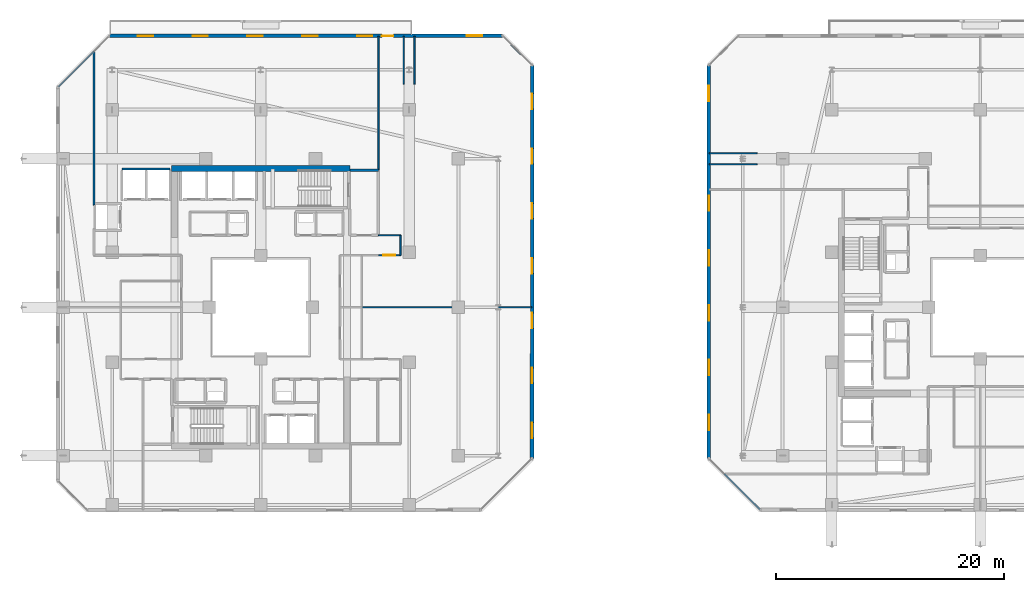
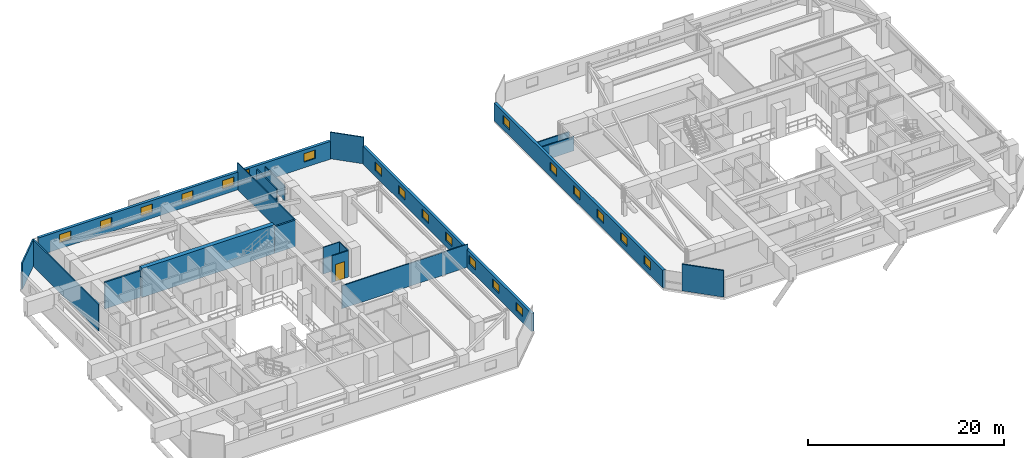
# One storey, part 25 of 36: 19 walls, 19 windows, 2 doors, 21 openings.
"""IFC4 building model written with IfcOpenShell, lengths in metres."""

from ifc_helpers import new_model, si_unit, direction, frame, frame_2d, origin, place, context, subcontext, project, spatial, rectangle, extrude, material, layer, layer_set, type_object, element, fill, save


model = new_model("IFC4")

# Units and contexts
model_context = context("Model", 3, precision=1e-05, world=origin(), true_north=direction((0.0, 1.0)))
body_context = subcontext(model_context, "Body", "Model", "MODEL_VIEW")
ifc_project = project(units=[si_unit("LENGTHUNIT", "METRE"), si_unit("AREAUNIT", "SQUARE_METRE"), si_unit("VOLUMEUNIT", "CUBIC_METRE"), si_unit("PLANEANGLEUNIT", "RADIAN"), si_unit("MASSUNIT", "GRAM", prefix="KILO")], contexts=[model_context])

# Site, building, storey
site_placement = place(None, origin())
site = spatial("IfcSite", under=ifc_project, at=site_placement, CompositionType="ELEMENT")
building_placement = place(site_placement, origin())
building = spatial("IfcBuilding", under=site, at=building_placement, Name="Thornwick Lancets Civic Towers", CompositionType="ELEMENT")
storey_placement = place(building_placement, frame((0.0, 0.0, 196.5)))
storey = spatial("IfcBuildingStorey", under=building, at=storey_placement, Name="L52", CompositionType="ELEMENT", Elevation=196.5)

# Walls
ifc_material_1 = material(Name="Concrete blockwork C40/50", Category="masonry")
ifc_layer_1 = layer(ifc_material_1, 0.199951171875, Name="Concrete blockwork C40/50")
ifc_layer_set_1 = layer_set([ifc_layer_1], Name="Concrete blockwork C40/50")
wall_type_1 = type_object("IfcWallType", Name="WALL_COMP_200", PredefinedType="STANDARD", material=ifc_layer_set_1)
wall_1_placement = place(storey_placement, frame((13.35205078125, 39.10009765625, 0.0), z_axis=(0.0, 0.0, 1.0), x_axis=(1.0, 0.0, 0.0)))
element("IfcWall", 1, at=wall_1_placement, inside=storey, type_object=wall_type_1, Name="L52 Hoistway Shaft Wall PL-AM1 N", PredefinedType="STANDARD", context=body_context, shape_type="SweptSolid", body=[
    extrude(rectangle(XDim=4.196044921875, YDim=0.199951171875, at=frame_2d((2.09814453125, 0.0))), origin(), (0.0, 0.0, 1.0), 3.320068359375),
])
wall_2_placement = place(storey_placement, frame((35.800048828125, 39.0, 0.0), z_axis=(0.0, 0.0, 1.0), x_axis=(-1.0, 0.0, 0.0)))
element("IfcWall", 2, at=wall_2_placement, inside=storey, type_object=wall_type_1, Name="L52 Partition L52-A-FFLOB2 E3", PredefinedType="STANDARD", context=body_context, shape_type="SweptSolid", body=[
    extrude(rectangle(XDim=2.5, YDim=0.199951171875, at=frame_2d((1.25, 0.0))), origin(), (0.0, 0.0, 1.0), 3.320068359375),
])
ifc_material_2 = material(Name="Concrete C50/60", Category="concrete")
ifc_layer_2 = layer(ifc_material_2, 0.5, Name="Concrete C50/60")
ifc_layer_set_2 = layer_set([ifc_layer_2], Name="Concrete C50/60")
wall_type_2 = type_object("IfcWallType", Name="WALL_CORE_500", PredefinedType="SHEAR", material=ifc_layer_set_2)
wall_3_placement = place(storey_placement, frame((17.699951171875, 39.14990234375, 0.0), z_axis=(0.0, 0.0, 1.0), x_axis=(1.0, 0.0, 0.0)))
element("IfcWall", 3, at=wall_3_placement, inside=storey, type_object=wall_type_2, Name="L52 Split Core A2 Shear Wall N", PredefinedType="SHEAR", context=body_context, shape_type="SweptSolid", body=[
    extrude(rectangle(XDim=15.60009765625, YDim=0.5, at=frame_2d((7.800048828125, 0.0))), origin(), (0.0, 0.0, 1.0), 3.60009765625),
])

# Wall, openings, windows
ifc_material_3 = material(Name="Insulated buff terracotta rainscreen on concrete C40/50", Category="masonry")
ifc_layer_3 = layer(ifc_material_3, 0.320068359375, Name="Insulated buff terracotta rainscreen on concrete C40/50")
ifc_layer_set_3 = layer_set([ifc_layer_3], Name="Insulated buff terracotta rainscreen on concrete C40/50")
wall_type_3 = type_object("IfcWallType", Name="WALL_EXT_TERRA_320", PredefinedType="STANDARD", material=ifc_layer_set_3)
wall_4_placement = place(storey_placement, frame((49.25830078125, 13.7490234375, 0.0), z_axis=(0.0, 0.0, 1.0), x_axis=(0.000184351399, 0.999999983007, 0.0)))
wall_4 = element("IfcWall", 4, at=wall_4_placement, inside=storey, type_object=wall_type_3, Name="L52 Tower A Terracotta Facade Wall E2", PredefinedType="STANDARD", context=body_context, shape_type="SweptSolid", body=[
    extrude(rectangle(XDim=34.432373046875, YDim=0.320068359375, at=frame_2d((17.21630859375, 0.0))), origin(), (0.0, 0.0, 1.0), 2.219970703125),
])
opening_1_placement = place(wall_4_placement, frame((1.800048828125, 0.0, 0.719970703125)))
opening_1 = element("IfcOpeningElement", 5, at=opening_1_placement, cuts=wall_4, Name="Opening WL-03", PredefinedType="OPENING", context=body_context, shape_type="SweptSolid", body=[
    extrude(rectangle(XDim=1.35009765625, YDim=1.050048828125, at=frame_2d((0.675048828125, 0.52490234375))), frame((0.0, 0.169921875, 0.0), z_axis=(0.0, -1.0, 0.0), x_axis=(1.0, 0.0, 0.0)), (0.0, 0.0, 1.0), 0.340087890625),
])
opening_2_placement = place(wall_4_placement, frame((6.60009765625, 0.0, 0.719970703125)))
opening_2 = element("IfcOpeningElement", 6, at=opening_2_placement, cuts=wall_4, Name="Opening WL-03", PredefinedType="OPENING", context=body_context, shape_type="SweptSolid", body=[
    extrude(rectangle(XDim=1.35009765625, YDim=1.050048828125, at=frame_2d((0.675048828125, 0.52490234375))), frame((0.0, 0.169921875, 0.0), z_axis=(0.0, -1.0, 0.0), x_axis=(1.0, 0.0, 0.0)), (0.0, 0.0, 1.0), 0.340087890625),
])
opening_3_placement = place(wall_4_placement, frame((11.39990234375, 0.0, 0.719970703125)))
opening_3 = element("IfcOpeningElement", 7, at=opening_3_placement, cuts=wall_4, Name="Opening WL-03", PredefinedType="OPENING", context=body_context, shape_type="SweptSolid", body=[
    extrude(rectangle(XDim=1.35009765625, YDim=1.050048828125, at=frame_2d((0.675048828125, 0.52490234375))), frame((0.0, 0.169921875, 0.0), z_axis=(0.0, -1.0, 0.0), x_axis=(1.0, 0.0, 0.0)), (0.0, 0.0, 1.0), 0.340087890625),
])
opening_4_placement = place(wall_4_placement, frame((16.199951171875, 0.0, 0.719970703125)))
opening_4 = element("IfcOpeningElement", 8, at=opening_4_placement, cuts=wall_4, Name="Opening WL-03", PredefinedType="OPENING", context=body_context, shape_type="SweptSolid", body=[
    extrude(rectangle(XDim=1.35009765625, YDim=1.050048828125, at=frame_2d((0.675048828125, 0.52490234375))), frame((0.0, 0.169921875, 0.0), z_axis=(0.0, -1.0, 0.0), x_axis=(1.0, 0.0, 0.0)), (0.0, 0.0, 1.0), 0.340087890625),
])
opening_5_placement = place(wall_4_placement, frame((21.0, 0.0, 0.719970703125)))
opening_5 = element("IfcOpeningElement", 9, at=opening_5_placement, cuts=wall_4, Name="Opening WL-03", PredefinedType="OPENING", context=body_context, shape_type="SweptSolid", body=[
    extrude(rectangle(XDim=1.35009765625, YDim=1.050048828125, at=frame_2d((0.675048828125, 0.52490234375))), frame((0.0, 0.169921875, 0.0), z_axis=(0.0, -1.0, 0.0), x_axis=(1.0, 0.0, 0.0)), (0.0, 0.0, 1.0), 0.340087890625),
])
opening_6_placement = place(wall_4_placement, frame((25.800048828125, 0.0, 0.719970703125)))
opening_6 = element("IfcOpeningElement", 10, at=opening_6_placement, cuts=wall_4, Name="Opening WL-03", PredefinedType="OPENING", context=body_context, shape_type="SweptSolid", body=[
    extrude(rectangle(XDim=1.35009765625, YDim=1.050048828125, at=frame_2d((0.675048828125, 0.52490234375))), frame((0.0, 0.169921875, 0.0), z_axis=(0.0, -1.0, 0.0), x_axis=(1.0, 0.0, 0.0)), (0.0, 0.0, 1.0), 0.340087890625),
])
opening_7_placement = place(wall_4_placement, frame((30.60009765625, 0.0, 0.719970703125)))
opening_7 = element("IfcOpeningElement", 11, at=opening_7_placement, cuts=wall_4, Name="Opening WL-03", PredefinedType="OPENING", context=body_context, shape_type="SweptSolid", body=[
    extrude(rectangle(XDim=1.35009765625, YDim=1.050048828125, at=frame_2d((0.675048828125, 0.52490234375))), frame((0.0, 0.169921875, 0.0), z_axis=(0.0, -1.0, 0.0), x_axis=(1.0, 0.0, 0.0)), (0.0, 0.0, 1.0), 0.340087890625),
])
ifc_material_4 = material(Name="Clear low-e double glazing clerestory lancet", Category="glass")
window_type = type_object("IfcWindowType", Name="WIN_LANCET_1350", PartitioningType="SINGLE_PANEL", PredefinedType="WINDOW", material=ifc_material_4)
window_1_placement = place(opening_1_placement, origin())
window_1 = element("IfcWindow", 12, at=window_1_placement, inside=storey, type_object=window_type, Name="L52 Tower A Staggered Lancet Window E2-1", OverallHeight=1.050048828125, OverallWidth=1.35009765625, PartitioningType="SINGLE_PANEL", PredefinedType="WINDOW", context=body_context, shape_type="SweptSolid", body=[
    extrude(rectangle(XDim=1.35009765625, YDim=1.050048828125, at=frame_2d((0.675048828125, 0.52490234375))), frame((0.0, 0.030029296875, 0.0), z_axis=(0.0, -1.0, 0.0), x_axis=(1.0, 0.0, 0.0)), (0.0, 0.0, 1.0), 0.06005859375),
])
fill(opening_1, window_1)
window_2_placement = place(opening_2_placement, origin())
window_2 = element("IfcWindow", 13, at=window_2_placement, inside=storey, type_object=window_type, Name="L52 Tower A Staggered Lancet Window E2-2", OverallHeight=1.050048828125, OverallWidth=1.35009765625, PartitioningType="SINGLE_PANEL", PredefinedType="WINDOW", context=body_context, shape_type="SweptSolid", body=[
    extrude(rectangle(XDim=1.35009765625, YDim=1.050048828125, at=frame_2d((0.675048828125, 0.52490234375))), frame((0.0, 0.030029296875, 0.0), z_axis=(0.0, -1.0, 0.0), x_axis=(1.0, 0.0, 0.0)), (0.0, 0.0, 1.0), 0.06005859375),
])
fill(opening_2, window_2)
window_3_placement = place(opening_3_placement, origin())
window_3 = element("IfcWindow", 14, at=window_3_placement, inside=storey, type_object=window_type, Name="L52 Tower A Staggered Lancet Window E2-3", OverallHeight=1.050048828125, OverallWidth=1.35009765625, PartitioningType="SINGLE_PANEL", PredefinedType="WINDOW", context=body_context, shape_type="SweptSolid", body=[
    extrude(rectangle(XDim=1.35009765625, YDim=1.050048828125, at=frame_2d((0.675048828125, 0.52490234375))), frame((0.0, 0.030029296875, 0.0), z_axis=(0.0, -1.0, 0.0), x_axis=(1.0, 0.0, 0.0)), (0.0, 0.0, 1.0), 0.06005859375),
])
fill(opening_3, window_3)
window_4_placement = place(opening_4_placement, origin())
window_4 = element("IfcWindow", 15, at=window_4_placement, inside=storey, type_object=window_type, Name="L52 Tower A Staggered Lancet Window E2-4", OverallHeight=1.050048828125, OverallWidth=1.35009765625, PartitioningType="SINGLE_PANEL", PredefinedType="WINDOW", context=body_context, shape_type="SweptSolid", body=[
    extrude(rectangle(XDim=1.35009765625, YDim=1.050048828125, at=frame_2d((0.675048828125, 0.52490234375))), frame((0.0, 0.030029296875, 0.0), z_axis=(0.0, -1.0, 0.0), x_axis=(1.0, 0.0, 0.0)), (0.0, 0.0, 1.0), 0.06005859375),
])
fill(opening_4, window_4)
window_5_placement = place(opening_5_placement, origin())
window_5 = element("IfcWindow", 16, at=window_5_placement, inside=storey, type_object=window_type, Name="L52 Tower A Staggered Lancet Window E2-5", OverallHeight=1.050048828125, OverallWidth=1.35009765625, PartitioningType="SINGLE_PANEL", PredefinedType="WINDOW", context=body_context, shape_type="SweptSolid", body=[
    extrude(rectangle(XDim=1.35009765625, YDim=1.050048828125, at=frame_2d((0.675048828125, 0.52490234375))), frame((0.0, 0.030029296875, 0.0), z_axis=(0.0, -1.0, 0.0), x_axis=(1.0, 0.0, 0.0)), (0.0, 0.0, 1.0), 0.06005859375),
])
fill(opening_5, window_5)
window_6_placement = place(opening_6_placement, origin())
window_6 = element("IfcWindow", 17, at=window_6_placement, inside=storey, type_object=window_type, Name="L52 Tower A Staggered Lancet Window E2-6", OverallHeight=1.050048828125, OverallWidth=1.35009765625, PartitioningType="SINGLE_PANEL", PredefinedType="WINDOW", context=body_context, shape_type="SweptSolid", body=[
    extrude(rectangle(XDim=1.35009765625, YDim=1.050048828125, at=frame_2d((0.675048828125, 0.52490234375))), frame((0.0, 0.030029296875, 0.0), z_axis=(0.0, -1.0, 0.0), x_axis=(1.0, 0.0, 0.0)), (0.0, 0.0, 1.0), 0.06005859375),
])
fill(opening_6, window_6)
window_7_placement = place(opening_7_placement, origin())
window_7 = element("IfcWindow", 18, at=window_7_placement, inside=storey, type_object=window_type, Name="L52 Tower A Staggered Lancet Window E2-7", OverallHeight=1.050048828125, OverallWidth=1.35009765625, PartitioningType="SINGLE_PANEL", PredefinedType="WINDOW", context=body_context, shape_type="SweptSolid", body=[
    extrude(rectangle(XDim=1.35009765625, YDim=1.050048828125, at=frame_2d((0.675048828125, 0.52490234375))), frame((0.0, 0.030029296875, 0.0), z_axis=(0.0, -1.0, 0.0), x_axis=(1.0, 0.0, 0.0)), (0.0, 0.0, 1.0), 0.06005859375),
])
fill(opening_7, window_7)

# Wall, openings, door, windows
wall_5_placement = place(storey_placement, frame((46.681396484375, 50.7646484375, 0.0), z_axis=(0.0, 0.0, 1.0), x_axis=(-0.999999983007, -0.000184351399, 0.0)))
wall_5 = element("IfcWall", 19, at=wall_5_placement, inside=storey, type_object=wall_type_3, Name="L52 Tower A Terracotta Facade Wall E4", PredefinedType="STANDARD", context=body_context, shape_type="SweptSolid", body=[
    extrude(rectangle(XDim=34.432373046875, YDim=0.320068359375, at=frame_2d((17.21630859375, 0.0))), origin(), (0.0, 0.0, 1.0), 2.219970703125),
])
opening_8_placement = place(wall_5_placement, frame((9.566162109375, 0.0, 0.0)))
opening_8 = element("IfcOpeningElement", 20, at=opening_8_placement, cuts=wall_5, Name="Opening D-BL-L52-AN", PredefinedType="OPENING", context=body_context, shape_type="SweptSolid", body=[
    extrude(rectangle(XDim=1.0, YDim=2.080078125, at=frame_2d((0.5, 1.0400390625))), frame((0.0, 0.169921875, 0.0), z_axis=(0.0, -1.0, 0.0), x_axis=(1.0, 0.0, 0.0)), (0.0, 0.0, 1.0), 0.340087890625),
])
opening_9_placement = place(wall_5_placement, frame((1.800048828125, 0.0, 0.719970703125)))
opening_9 = element("IfcOpeningElement", 21, at=opening_9_placement, cuts=wall_5, Name="Opening WL-03", PredefinedType="OPENING", context=body_context, shape_type="SweptSolid", body=[
    extrude(rectangle(XDim=1.35009765625, YDim=1.050048828125, at=frame_2d((0.675048828125, 0.52490234375))), frame((0.0, 0.169921875, 0.0), z_axis=(0.0, -1.0, 0.0), x_axis=(1.0, 0.0, 0.0)), (0.0, 0.0, 1.0), 0.340087890625),
])
opening_10_placement = place(wall_5_placement, frame((11.39990234375, 0.0, 0.719970703125)))
opening_10 = element("IfcOpeningElement", 22, at=opening_10_placement, cuts=wall_5, Name="Opening WL-03", PredefinedType="OPENING", context=body_context, shape_type="SweptSolid", body=[
    extrude(rectangle(XDim=1.35009765625, YDim=1.050048828125, at=frame_2d((0.675048828125, 0.52490234375))), frame((0.0, 0.169921875, 0.0), z_axis=(0.0, -1.0, 0.0), x_axis=(1.0, 0.0, 0.0)), (0.0, 0.0, 1.0), 0.340087890625),
])
opening_11_placement = place(wall_5_placement, frame((16.199951171875, 0.0, 0.719970703125)))
opening_11 = element("IfcOpeningElement", 23, at=opening_11_placement, cuts=wall_5, Name="Opening WL-03", PredefinedType="OPENING", context=body_context, shape_type="SweptSolid", body=[
    extrude(rectangle(XDim=1.35009765625, YDim=1.050048828125, at=frame_2d((0.675048828125, 0.52490234375))), frame((0.0, 0.169921875, 0.0), z_axis=(0.0, -1.0, 0.0), x_axis=(1.0, 0.0, 0.0)), (0.0, 0.0, 1.0), 0.340087890625),
])
opening_12_placement = place(wall_5_placement, frame((21.0, 0.0, 0.719970703125)))
opening_12 = element("IfcOpeningElement", 24, at=opening_12_placement, cuts=wall_5, Name="Opening WL-03", PredefinedType="OPENING", context=body_context, shape_type="SweptSolid", body=[
    extrude(rectangle(XDim=1.35009765625, YDim=1.050048828125, at=frame_2d((0.675048828125, 0.52490234375))), frame((0.0, 0.169921875, 0.0), z_axis=(0.0, -1.0, 0.0), x_axis=(1.0, 0.0, 0.0)), (0.0, 0.0, 1.0), 0.340087890625),
])
opening_13_placement = place(wall_5_placement, frame((25.800048828125, 0.0, 0.719970703125)))
opening_13 = element("IfcOpeningElement", 25, at=opening_13_placement, cuts=wall_5, Name="Opening WL-03", PredefinedType="OPENING", context=body_context, shape_type="SweptSolid", body=[
    extrude(rectangle(XDim=1.35009765625, YDim=1.050048828125, at=frame_2d((0.675048828125, 0.52490234375))), frame((0.0, 0.169921875, 0.0), z_axis=(0.0, -1.0, 0.0), x_axis=(1.0, 0.0, 0.0)), (0.0, 0.0, 1.0), 0.340087890625),
])
opening_14_placement = place(wall_5_placement, frame((30.60009765625, 0.0, 0.719970703125)))
opening_14 = element("IfcOpeningElement", 26, at=opening_14_placement, cuts=wall_5, Name="Opening WL-03", PredefinedType="OPENING", context=body_context, shape_type="SweptSolid", body=[
    extrude(rectangle(XDim=1.35009765625, YDim=1.050048828125, at=frame_2d((0.675048828125, 0.52490234375))), frame((0.0, 0.169921875, 0.0), z_axis=(0.0, -1.0, 0.0), x_axis=(1.0, 0.0, 0.0)), (0.0, 0.0, 1.0), 0.340087890625),
])
ifc_material_5 = material(Name="Thermally broken glazed loggia doorset")
door_type_1 = type_object("IfcDoorType", Name="DOOR_BALC_1000", OperationType="NOTDEFINED", PredefinedType="DOOR", material=ifc_material_5)
door_1_placement = place(opening_8_placement, origin())
door_1 = element("IfcDoor", 27, at=door_1_placement, inside=storey, type_object=door_type_1, Name="L52 Tower A Loggia Balcony Door N", OperationType="SINGLE_SWING_LEFT", OverallHeight=2.080078125, OverallWidth=1.0, PredefinedType="DOOR", context=body_context, shape_type="SweptSolid", body=[
    extrude(rectangle(XDim=1.0, YDim=2.080078125, at=frame_2d((0.5, 1.0400390625))), frame((0.0, 0.02490234375, 0.0), z_axis=(0.0, -1.0, 0.0), x_axis=(1.0, 0.0, 0.0)), (0.0, 0.0, 1.0), 0.050048828125),
])
fill(opening_8, door_1)
window_8_placement = place(opening_9_placement, origin())
window_8 = element("IfcWindow", 28, at=window_8_placement, inside=storey, type_object=window_type, Name="L52 Tower A Staggered Lancet Window E4-1", OverallHeight=1.050048828125, OverallWidth=1.35009765625, PartitioningType="SINGLE_PANEL", PredefinedType="WINDOW", context=body_context, shape_type="SweptSolid", body=[
    extrude(rectangle(XDim=1.35009765625, YDim=1.050048828125, at=frame_2d((0.675048828125, 0.52490234375))), frame((0.0, 0.030029296875, 0.0), z_axis=(0.0, -1.0, 0.0), x_axis=(1.0, 0.0, 0.0)), (0.0, 0.0, 1.0), 0.06005859375),
])
fill(opening_9, window_8)
window_9_placement = place(opening_10_placement, origin())
window_9 = element("IfcWindow", 29, at=window_9_placement, inside=storey, type_object=window_type, Name="L52 Tower A Staggered Lancet Window E4-2", OverallHeight=1.050048828125, OverallWidth=1.35009765625, PartitioningType="SINGLE_PANEL", PredefinedType="WINDOW", context=body_context, shape_type="SweptSolid", body=[
    extrude(rectangle(XDim=1.35009765625, YDim=1.050048828125, at=frame_2d((0.675048828125, 0.52490234375))), frame((0.0, 0.030029296875, 0.0), z_axis=(0.0, -1.0, 0.0), x_axis=(1.0, 0.0, 0.0)), (0.0, 0.0, 1.0), 0.06005859375),
])
fill(opening_10, window_9)
window_10_placement = place(opening_11_placement, origin())
window_10 = element("IfcWindow", 30, at=window_10_placement, inside=storey, type_object=window_type, Name="L52 Tower A Staggered Lancet Window E4-3", OverallHeight=1.050048828125, OverallWidth=1.35009765625, PartitioningType="SINGLE_PANEL", PredefinedType="WINDOW", context=body_context, shape_type="SweptSolid", body=[
    extrude(rectangle(XDim=1.35009765625, YDim=1.050048828125, at=frame_2d((0.675048828125, 0.52490234375))), frame((0.0, 0.030029296875, 0.0), z_axis=(0.0, -1.0, 0.0), x_axis=(1.0, 0.0, 0.0)), (0.0, 0.0, 1.0), 0.06005859375),
])
fill(opening_11, window_10)
window_11_placement = place(opening_12_placement, origin())
window_11 = element("IfcWindow", 31, at=window_11_placement, inside=storey, type_object=window_type, Name="L52 Tower A Staggered Lancet Window E4-4", OverallHeight=1.050048828125, OverallWidth=1.35009765625, PartitioningType="SINGLE_PANEL", PredefinedType="WINDOW", context=body_context, shape_type="SweptSolid", body=[
    extrude(rectangle(XDim=1.35009765625, YDim=1.050048828125, at=frame_2d((0.675048828125, 0.52490234375))), frame((0.0, 0.030029296875, 0.0), z_axis=(0.0, -1.0, 0.0), x_axis=(1.0, 0.0, 0.0)), (0.0, 0.0, 1.0), 0.06005859375),
])
fill(opening_12, window_11)
window_12_placement = place(opening_13_placement, origin())
window_12 = element("IfcWindow", 32, at=window_12_placement, inside=storey, type_object=window_type, Name="L52 Tower A Staggered Lancet Window E4-5", OverallHeight=1.050048828125, OverallWidth=1.35009765625, PartitioningType="SINGLE_PANEL", PredefinedType="WINDOW", context=body_context, shape_type="SweptSolid", body=[
    extrude(rectangle(XDim=1.35009765625, YDim=1.050048828125, at=frame_2d((0.675048828125, 0.52490234375))), frame((0.0, 0.030029296875, 0.0), z_axis=(0.0, -1.0, 0.0), x_axis=(1.0, 0.0, 0.0)), (0.0, 0.0, 1.0), 0.06005859375),
])
fill(opening_13, window_12)
window_13_placement = place(opening_14_placement, origin())
window_13 = element("IfcWindow", 33, at=window_13_placement, inside=storey, type_object=window_type, Name="L52 Tower A Staggered Lancet Window E4-6", OverallHeight=1.050048828125, OverallWidth=1.35009765625, PartitioningType="SINGLE_PANEL", PredefinedType="WINDOW", context=body_context, shape_type="SweptSolid", body=[
    extrude(rectangle(XDim=1.35009765625, YDim=1.050048828125, at=frame_2d((0.675048828125, 0.52490234375))), frame((0.0, 0.030029296875, 0.0), z_axis=(0.0, -1.0, 0.0), x_axis=(1.0, 0.0, 0.0)), (0.0, 0.0, 1.0), 0.06005859375),
])
fill(opening_14, window_13)

# Wall, openings, windows
wall_6_placement = place(storey_placement, frame((64.7353515625, 48.181396484375, 0.0), z_axis=(0.0, 0.0, 1.0), x_axis=(0.000184351399, -0.999999983007, 0.0)))
wall_6 = element("IfcWall", 34, at=wall_6_placement, inside=storey, type_object=wall_type_3, Name="L52 Tower B Terracotta Facade Wall E6", PredefinedType="STANDARD", context=body_context, shape_type="SweptSolid", body=[
    extrude(rectangle(XDim=34.432373046875, YDim=0.320068359375, at=frame_2d((17.21630859375, 0.0))), origin(), (0.0, 0.0, 1.0), 2.219970703125),
])
opening_15_placement = place(wall_6_placement, frame((1.800048828125, 0.0, 0.719970703125)))
opening_15 = element("IfcOpeningElement", 35, at=opening_15_placement, cuts=wall_6, Name="Opening WL-03", PredefinedType="OPENING", context=body_context, shape_type="SweptSolid", body=[
    extrude(rectangle(XDim=1.35009765625, YDim=1.050048828125, at=frame_2d((0.675048828125, 0.52490234375))), frame((0.0, 0.169921875, 0.0), z_axis=(0.0, -1.0, 0.0), x_axis=(1.0, 0.0, 0.0)), (0.0, 0.0, 1.0), 0.340087890625),
])
opening_16_placement = place(wall_6_placement, frame((11.39990234375, 0.0, 0.719970703125)))
opening_16 = element("IfcOpeningElement", 36, at=opening_16_placement, cuts=wall_6, Name="Opening WL-03", PredefinedType="OPENING", context=body_context, shape_type="SweptSolid", body=[
    extrude(rectangle(XDim=1.35009765625, YDim=1.050048828125, at=frame_2d((0.675048828125, 0.52490234375))), frame((0.0, 0.169921875, 0.0), z_axis=(0.0, -1.0, 0.0), x_axis=(1.0, 0.0, 0.0)), (0.0, 0.0, 1.0), 0.340087890625),
])
opening_17_placement = place(wall_6_placement, frame((16.199951171875, 0.0, 0.719970703125)))
opening_17 = element("IfcOpeningElement", 37, at=opening_17_placement, cuts=wall_6, Name="Opening WL-03", PredefinedType="OPENING", context=body_context, shape_type="SweptSolid", body=[
    extrude(rectangle(XDim=1.35009765625, YDim=1.050048828125, at=frame_2d((0.675048828125, 0.52490234375))), frame((0.0, 0.169921875, 0.0), z_axis=(0.0, -1.0, 0.0), x_axis=(1.0, 0.0, 0.0)), (0.0, 0.0, 1.0), 0.340087890625),
])
opening_18_placement = place(wall_6_placement, frame((21.0, 0.0, 0.719970703125)))
opening_18 = element("IfcOpeningElement", 38, at=opening_18_placement, cuts=wall_6, Name="Opening WL-03", PredefinedType="OPENING", context=body_context, shape_type="SweptSolid", body=[
    extrude(rectangle(XDim=1.35009765625, YDim=1.050048828125, at=frame_2d((0.675048828125, 0.52490234375))), frame((0.0, 0.169921875, 0.0), z_axis=(0.0, -1.0, 0.0), x_axis=(1.0, 0.0, 0.0)), (0.0, 0.0, 1.0), 0.340087890625),
])
opening_19_placement = place(wall_6_placement, frame((25.800048828125, 0.0, 0.719970703125)))
opening_19 = element("IfcOpeningElement", 39, at=opening_19_placement, cuts=wall_6, Name="Opening WL-03", PredefinedType="OPENING", context=body_context, shape_type="SweptSolid", body=[
    extrude(rectangle(XDim=1.35009765625, YDim=1.050048828125, at=frame_2d((0.675048828125, 0.52490234375))), frame((0.0, 0.169921875, 0.0), z_axis=(0.0, -1.0, 0.0), x_axis=(1.0, 0.0, 0.0)), (0.0, 0.0, 1.0), 0.340087890625),
])
opening_20_placement = place(wall_6_placement, frame((30.60009765625, 0.0, 0.719970703125)))
opening_20 = element("IfcOpeningElement", 40, at=opening_20_placement, cuts=wall_6, Name="Opening WL-03", PredefinedType="OPENING", context=body_context, shape_type="SweptSolid", body=[
    extrude(rectangle(XDim=1.35009765625, YDim=1.050048828125, at=frame_2d((0.675048828125, 0.52490234375))), frame((0.0, 0.169921875, 0.0), z_axis=(0.0, -1.0, 0.0), x_axis=(1.0, 0.0, 0.0)), (0.0, 0.0, 1.0), 0.340087890625),
])
window_14_placement = place(opening_15_placement, origin())
window_14 = element("IfcWindow", 41, at=window_14_placement, inside=storey, type_object=window_type, Name="L52 Tower B Staggered Lancet Window E6-1", OverallHeight=1.050048828125, OverallWidth=1.35009765625, PartitioningType="SINGLE_PANEL", PredefinedType="WINDOW", context=body_context, shape_type="SweptSolid", body=[
    extrude(rectangle(XDim=1.35009765625, YDim=1.050048828125, at=frame_2d((0.675048828125, 0.52490234375))), frame((0.0, 0.030029296875, 0.0), z_axis=(0.0, -1.0, 0.0), x_axis=(1.0, 0.0, 0.0)), (0.0, 0.0, 1.0), 0.06005859375),
])
fill(opening_15, window_14)
window_15_placement = place(opening_16_placement, origin())
window_15 = element("IfcWindow", 42, at=window_15_placement, inside=storey, type_object=window_type, Name="L52 Tower B Staggered Lancet Window E6-2", OverallHeight=1.050048828125, OverallWidth=1.35009765625, PartitioningType="SINGLE_PANEL", PredefinedType="WINDOW", context=body_context, shape_type="SweptSolid", body=[
    extrude(rectangle(XDim=1.35009765625, YDim=1.050048828125, at=frame_2d((0.675048828125, 0.52490234375))), frame((0.0, 0.030029296875, 0.0), z_axis=(0.0, -1.0, 0.0), x_axis=(1.0, 0.0, 0.0)), (0.0, 0.0, 1.0), 0.06005859375),
])
fill(opening_16, window_15)
window_16_placement = place(opening_17_placement, origin())
window_16 = element("IfcWindow", 43, at=window_16_placement, inside=storey, type_object=window_type, Name="L52 Tower B Staggered Lancet Window E6-3", OverallHeight=1.050048828125, OverallWidth=1.35009765625, PartitioningType="SINGLE_PANEL", PredefinedType="WINDOW", context=body_context, shape_type="SweptSolid", body=[
    extrude(rectangle(XDim=1.35009765625, YDim=1.050048828125, at=frame_2d((0.675048828125, 0.52490234375))), frame((0.0, 0.030029296875, 0.0), z_axis=(0.0, -1.0, 0.0), x_axis=(1.0, 0.0, 0.0)), (0.0, 0.0, 1.0), 0.06005859375),
])
fill(opening_17, window_16)
window_17_placement = place(opening_18_placement, origin())
window_17 = element("IfcWindow", 44, at=window_17_placement, inside=storey, type_object=window_type, Name="L52 Tower B Staggered Lancet Window E6-4", OverallHeight=1.050048828125, OverallWidth=1.35009765625, PartitioningType="SINGLE_PANEL", PredefinedType="WINDOW", context=body_context, shape_type="SweptSolid", body=[
    extrude(rectangle(XDim=1.35009765625, YDim=1.050048828125, at=frame_2d((0.675048828125, 0.52490234375))), frame((0.0, 0.030029296875, 0.0), z_axis=(0.0, -1.0, 0.0), x_axis=(1.0, 0.0, 0.0)), (0.0, 0.0, 1.0), 0.06005859375),
])
fill(opening_18, window_17)
window_18_placement = place(opening_19_placement, origin())
window_18 = element("IfcWindow", 45, at=window_18_placement, inside=storey, type_object=window_type, Name="L52 Tower B Staggered Lancet Window E6-5", OverallHeight=1.050048828125, OverallWidth=1.35009765625, PartitioningType="SINGLE_PANEL", PredefinedType="WINDOW", context=body_context, shape_type="SweptSolid", body=[
    extrude(rectangle(XDim=1.35009765625, YDim=1.050048828125, at=frame_2d((0.675048828125, 0.52490234375))), frame((0.0, 0.030029296875, 0.0), z_axis=(0.0, -1.0, 0.0), x_axis=(1.0, 0.0, 0.0)), (0.0, 0.0, 1.0), 0.06005859375),
])
fill(opening_19, window_18)
window_19_placement = place(opening_20_placement, origin())
window_19 = element("IfcWindow", 46, at=window_19_placement, inside=storey, type_object=window_type, Name="L52 Tower B Staggered Lancet Window E6-6", OverallHeight=1.050048828125, OverallWidth=1.35009765625, PartitioningType="SINGLE_PANEL", PredefinedType="WINDOW", context=body_context, shape_type="SweptSolid", body=[
    extrude(rectangle(XDim=1.35009765625, YDim=1.050048828125, at=frame_2d((0.675048828125, 0.52490234375))), frame((0.0, 0.030029296875, 0.0), z_axis=(0.0, -1.0, 0.0), x_axis=(1.0, 0.0, 0.0)), (0.0, 0.0, 1.0), 0.06005859375),
])
fill(opening_20, window_19)

# Wall
ifc_material_6 = material(Name="Acoustic gypsum board partition")
ifc_layer_4 = layer(ifc_material_6, 0.1201171875, Name="Acoustic gypsum board partition")
ifc_layer_set_4 = layer_set([ifc_layer_4], Name="Acoustic gypsum board partition")
wall_type_4 = type_object("IfcWallType", Name="WALL_PART_120", PredefinedType="PARTITIONING", material=ifc_layer_set_4)
wall_7_placement = place(storey_placement, frame((34.35009765625, 27.0, 0.0), z_axis=(0.0, 0.0, 1.0), x_axis=(1.0, 0.0, 0.0)))
element("IfcWall", 47, at=wall_7_placement, inside=storey, type_object=wall_type_4, Name="L52 Partition L52-A-E2 E7", PredefinedType="PARTITIONING", context=body_context, shape_type="SweptSolid", body=[
    extrude(rectangle(XDim=14.869873046875, YDim=0.1201171875, at=frame_2d((7.43505859375, 0.0))), origin(), (0.0, 0.0, 1.0), 2.861572265625),
])

# Wall, opening, door
wall_8_placement = place(storey_placement, frame((35.800048828125, 31.550048828125, 0.0), z_axis=(0.0, 0.0, 1.0), x_axis=(1.0, 0.0, 0.0)))
wall_8 = element("IfcWall", 48, at=wall_8_placement, inside=storey, type_object=wall_type_4, Name="L52 Partition L52-A-E4 E2", PredefinedType="PARTITIONING", context=body_context, shape_type="SweptSolid", body=[
    extrude(rectangle(XDim=1.949951171875, YDim=0.1201171875, at=frame_2d((0.97509765625, 0.0))), origin(), (0.0, 0.0, 1.0), 3.320068359375),
])
opening_21_placement = place(wall_8_placement, frame((0.449951171875, 0.0, 0.0)))
opening_21 = element("IfcOpeningElement", 49, at=opening_21_placement, cuts=wall_8, Name="Opening D-L52-2330", PredefinedType="OPENING", context=body_context, shape_type="SweptSolid", body=[
    extrude(rectangle(XDim=1.050048828125, YDim=2.10009765625, at=frame_2d((0.52490234375, 1.050048828125))), frame((0.0, 0.070068359375, 0.0), z_axis=(0.0, -1.0, 0.0), x_axis=(1.0, 0.0, 0.0)), (0.0, 0.0, 1.0), 0.14013671875),
])
ifc_material_7 = material(Name="Glazed European oak executive doorset")
door_type_2 = type_object("IfcDoorType", Name="DOOR_OFFICE_1050", OperationType="NOTDEFINED", PredefinedType="DOOR", material=ifc_material_7)
door_2_placement = place(opening_21_placement, origin())
door_2 = element("IfcDoor", 50, at=door_2_placement, inside=storey, type_object=door_type_2, Name="L52 Tower A Counsel Chambers Office E4 Door", OperationType="SINGLE_SWING_LEFT", OverallHeight=2.10009765625, OverallWidth=1.050048828125, PredefinedType="DOOR", context=body_context, shape_type="SweptSolid", body=[
    extrude(rectangle(XDim=1.050048828125, YDim=2.10009765625, at=frame_2d((0.52490234375, 1.050048828125))), frame((0.0, 0.02490234375, 0.0), z_axis=(0.0, -1.0, 0.0), x_axis=(1.0, 0.0, 0.0)), (0.0, 0.0, 1.0), 0.050048828125),
])
fill(opening_21, door_2)

# Walls
wall_9_placement = place(storey_placement, frame((37.75, 31.550048828125, 0.0), z_axis=(0.0, 0.0, 1.0), x_axis=(0.0, 1.0, 0.0)))
element("IfcWall", 51, at=wall_9_placement, inside=storey, type_object=wall_type_4, Name="L52 Partition L52-A-E4 E3", PredefinedType="PARTITIONING", context=body_context, shape_type="SweptSolid", body=[
    extrude(rectangle(XDim=1.75, YDim=0.1201171875, at=frame_2d((0.875, 0.0))), origin(), (0.0, 0.0, 1.0), 3.320068359375),
])
wall_10_placement = place(storey_placement, frame((37.75, 33.300048828125, 0.0), z_axis=(0.0, 0.0, 1.0), x_axis=(-1.0, 0.0, 0.0)))
element("IfcWall", 52, at=wall_10_placement, inside=storey, type_object=wall_type_4, Name="L52 Partition L52-A-E4 E4", PredefinedType="PARTITIONING", context=body_context, shape_type="SweptSolid", body=[
    extrude(rectangle(XDim=1.949951171875, YDim=0.1201171875, at=frame_2d((0.97509765625, 0.0))), origin(), (0.0, 0.0, 1.0), 3.320068359375),
])
wall_11_placement = place(storey_placement, frame((35.800048828125, 39.0, 0.0), z_axis=(0.0, 0.0, 1.0), x_axis=(0.0, 1.0, 0.0)))
element("IfcWall", 53, at=wall_11_placement, inside=storey, type_object=wall_type_4, Name="L52 Partition L52-A-E4 E6", PredefinedType="PARTITIONING", context=body_context, shape_type="SweptSolid", body=[
    extrude(rectangle(XDim=11.719970703125, YDim=0.1201171875, at=frame_2d((5.85986328125, 0.0))), origin(), (0.0, 0.0, 1.0), 3.320068359375),
])
for number, where, z_axis, x_axis, name in (
    (54, (38.02001953125, 50.719970703125, 0.0), (0.0, 0.0, 1.0), (0.0, -1.0, 0.0), "L52 Partition L52-A-E4 E8"),
    (55, (38.97998046875, 46.5419921875, 0.0), (0.0, 0.0, 1.0), (0.0, 1.0, 0.0), "L52 Partition L52-A-E4 E10"),
):
    element("IfcWall", number, at=place(storey_placement, frame(where, z_axis=z_axis, x_axis=x_axis)), inside=storey, type_object=wall_type_4, Name=name, PredefinedType="PARTITIONING", context=body_context, shape_type="SweptSolid", body=[
        extrude(rectangle(XDim=4.177978515625, YDim=0.1201171875, at=frame_2d((2.0888671875, 0.0))), origin(), (0.0, 0.0, 1.0), 1.784912109375),
    ])
wall_12_placement = place(storey_placement, frame((46.725341796875, 50.719970703125, 0.0), z_axis=(0.0, 0.0, 1.0), x_axis=(0.707106781187, -0.707106781187, 0.0)))
element("IfcWall", 56, at=wall_12_placement, inside=storey, type_object=wall_type_4, Name="L52 Partition L52-A-E4 E12", PredefinedType="PARTITIONING", context=body_context, shape_type="SweptSolid", body=[
    extrude(rectangle(XDim=3.52783203125, YDim=0.1201171875, at=frame_2d((1.763916015625, 0.0))), origin(), (0.0, 0.0, 1.0), 3.320068359375),
])
for number, where, z_axis, x_axis, name in (
    (57, (64.780029296875, 39.52001953125, 0.0), (0.0, 0.0, 1.0), (1.0, 0.0, 0.0), "L52 Partition L52-B-E4 E8"),
    (58, (68.9580078125, 40.47998046875, 0.0), (0.0, 0.0, 1.0), (-1.0, 0.0, 0.0), "L52 Partition L52-B-E4 E10"),
):
    element("IfcWall", number, at=place(storey_placement, frame(where, z_axis=z_axis, x_axis=x_axis)), inside=storey, type_object=wall_type_4, Name=name, PredefinedType="PARTITIONING", context=body_context, shape_type="SweptSolid", body=[
        extrude(rectangle(XDim=4.177978515625, YDim=0.1201171875, at=frame_2d((2.0888671875, 0.0))), origin(), (0.0, 0.0, 1.0), 1.784912109375),
    ])
ifc_material_8 = material(Name="Twin-stud acoustic gypsum board")
ifc_layer_5 = layer(ifc_material_8, 0.14990234375, Name="Twin-stud acoustic gypsum board")
ifc_layer_set_5 = layer_set([ifc_layer_5], Name="Twin-stud acoustic gypsum board")
wall_type_5 = type_object("IfcWallType", Name="WALL_PART_150", PredefinedType="PARTITIONING", material=ifc_layer_set_5)
wall_13_placement = place(storey_placement, frame((7.780029296875, 46.287353515625, 0.0), z_axis=(0.0, 0.0, 1.0), x_axis=(0.707079114978, 0.707134446312, 0.0)))
element("IfcWall", 59, at=wall_13_placement, inside=storey, type_object=wall_type_5, Name="L52 Partition L52-A-W4 E7", PredefinedType="PARTITIONING", context=body_context, shape_type="SweptSolid", body=[
    extrude(rectangle(XDim=4.412353515625, YDim=0.14990234375, at=frame_2d((2.2060546875, 0.0))), origin(), (0.0, 0.0, 1.0), 3.320068359375),
])
wall_14_placement = place(storey_placement, frame((10.89990234375, 49.407470703125, 0.0), z_axis=(0.0, 0.0, 1.0), x_axis=(0.0, -1.0, 0.0)))
element("IfcWall", 60, at=wall_14_placement, inside=storey, type_object=wall_type_5, Name="L52 Partition L52-A-W4 E8", PredefinedType="PARTITIONING", context=body_context, shape_type="SweptSolid", body=[
    extrude(rectangle(XDim=13.469482421875, YDim=0.14990234375, at=frame_2d((6.73486328125, 0.0))), origin(), (0.0, 0.0, 1.0), 3.320068359375),
])
wall_15_placement = place(storey_placement, frame((69.212646484375, 9.280029296875, 0.0), z_axis=(0.0, 0.0, 1.0), x_axis=(-0.707134446312, 0.707079114978, 0.0)))
element("IfcWall", 61, at=wall_15_placement, inside=storey, type_object=wall_type_5, Name="L52 Partition L52-B-W4 E7", PredefinedType="PARTITIONING", context=body_context, shape_type="SweptSolid", body=[
    extrude(rectangle(XDim=4.412353515625, YDim=0.14990234375, at=frame_2d((2.2060546875, 0.0))), origin(), (0.0, 0.0, 1.0), 3.320068359375),
])

save(model, "model.ifc")
